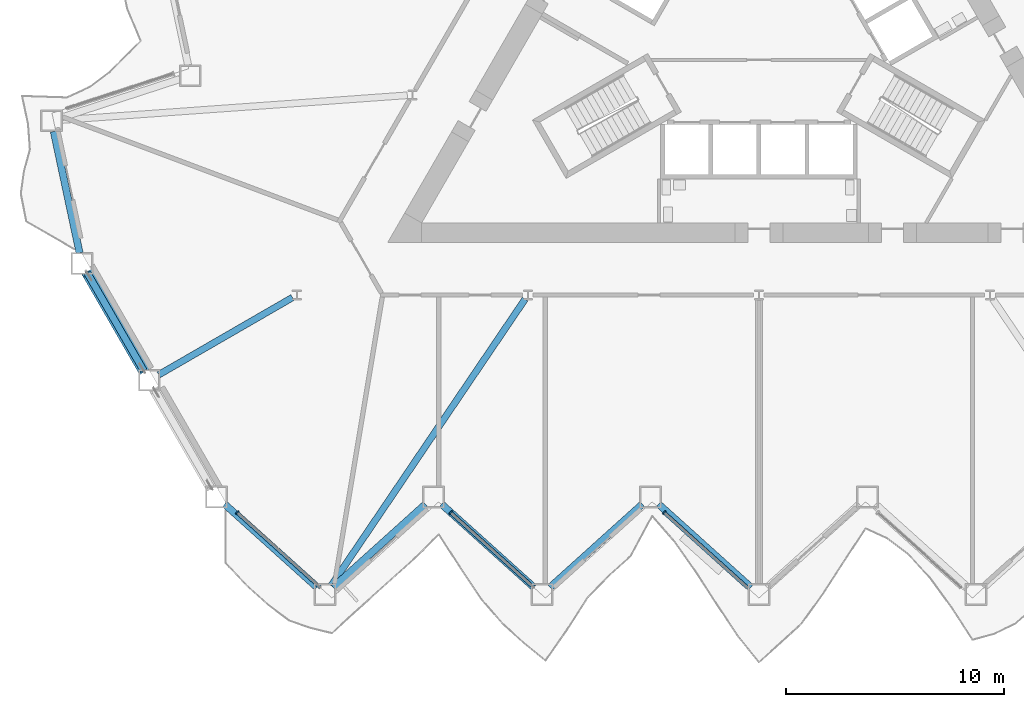
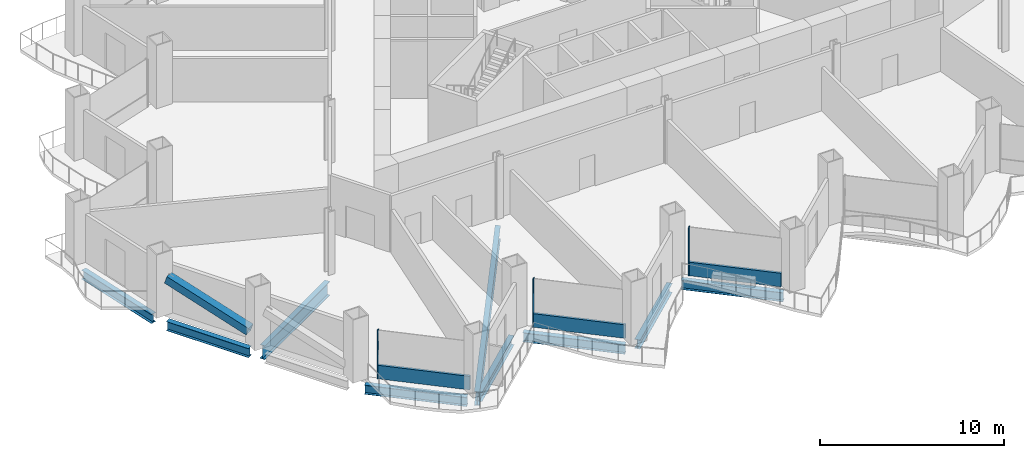
# One storey, part 2 of 20: 9 beams, 7 members, 3 elements without a shape of their own.
"""IFC4 building model written with IfcOpenShell, lengths in metres."""

from ifc_helpers import new_model, si_unit, direction, frame, origin, origin_2d, place, context, subcontext, project, spatial, rectangle, hollow_rectangle, i_section, extrude, material, layer, layer_set, material_profile, profile_set, type_object, element, aggregate, save


model = new_model("IFC4")

# Units and contexts
model_context = context("Model", 3, precision=1e-05, world=origin(), true_north=direction((0.0, 1.0)))
body_context = subcontext(model_context, "Body", "Model", "MODEL_VIEW")
ifc_project = project(units=[si_unit("LENGTHUNIT", "METRE"), si_unit("AREAUNIT", "SQUARE_METRE"), si_unit("VOLUMEUNIT", "CUBIC_METRE"), si_unit("PLANEANGLEUNIT", "RADIAN"), si_unit("MASSUNIT", "GRAM", prefix="KILO")], contexts=[model_context])

# Site, building, storey
site_placement = place(None, origin())
site = spatial("IfcSite", under=ifc_project, at=site_placement, CompositionType="ELEMENT")
building_placement = place(site_placement, origin())
building = spatial("IfcBuilding", under=site, at=building_placement, Name="Cormorant Prow Tower", CompositionType="ELEMENT")
storey_placement = place(building_placement, frame((0.0, 0.0, 59.39990234375)))
storey = spatial("IfcBuildingStorey", under=building, at=storey_placement, Name="L12", CompositionType="ELEMENT", Elevation=59.39990234375)

# Member
ifc_material_1 = material(Name="Structural steel ASTM A500 Gr C", Category="steel")
ifc_material_profile_1 = material_profile(ifc_material_1, hollow_rectangle(XDim=0.508056640625, YDim=0.508056640625, WallThickness=0.014892578125, at=origin_2d()), Name="HSS20x20x5/8")
ifc_profile_set_1 = profile_set([ifc_material_profile_1], Name="Structural steel ASTM A500 Gr C")
member_type_1 = type_object("IfcMemberType", Name="Chamfer brace HSS20x20x5/8", PredefinedType="BRACE", material=ifc_profile_set_1)
member_1_placement = place(storey_placement, frame((-28.174560546875, -15.667724609375, 0.767333984375), z_axis=(-0.475875326044, 0.824258984489, 0.306822099191), x_axis=(-0.866030326616, -0.499991473309, 0.0)))
element("IfcMember", 1, at=member_1_placement, inside=storey, type_object=member_type_1, Name="Chamfer brace BR1 at WSW00 L12", PredefinedType="BRACE", context=body_context, shape_type="SweptSolid", body=[
    extrude(hollow_rectangle(XDim=0.508056640625, YDim=0.508056640625, WallThickness=0.014892578125, at=origin_2d()), origin(), (0.0, 0.0, 1.0), 5.392578125),
])

# Curtain wall, member
ifc_material_2 = material(Name="Aluminium 6063-T6", Category="aluminium")
ifc_layer = layer(ifc_material_2, 0.199951171875)
ifc_layer_set = layer_set([ifc_layer], Name="Aluminium 6063-T6")
curtain_wall_type = type_object("IfcCurtainWallType", Name="Office unitised curtain wall 200", PredefinedType="NOTDEFINED", material=ifc_layer_set)
curtain_wall_1_placement = place(storey_placement, origin())
curtain_wall_1 = element("IfcCurtainWall", 2, at=curtain_wall_1_placement, inside=storey, type_object=curtain_wall_type, Name="Office curtain wall S00", PredefinedType="NOTDEFINED")
ifc_material_3 = material(Name="Aluminium 6063-T6", Category="aluminium")
ifc_material_profile_2 = material_profile(ifc_material_3, rectangle(XDim=0.199951171875, YDim=0.06005859375, at=origin_2d()), Name="Office mullion 60x200")
ifc_profile_set_2 = profile_set([ifc_material_profile_2], Name="Aluminium 6063-T6")
member_type_2 = type_object("IfcMemberType", Name="Office mullion 60x200", PredefinedType="MULLION", material=ifc_profile_set_2)
member_2_placement = place(storey_placement, frame((-23.89404296875, -22.176513671875, 0.0), z_axis=(0.0, 0.0, 1.0), x_axis=(0.669130625166, 0.743144808544, 0.0)))
member_2 = element("IfcMember", 3, at=member_2_placement, type_object=member_type_2, Name="Office mullion S00", PredefinedType="MULLION", context=body_context, shape_type="SweptSolid", body=[
    extrude(rectangle(XDim=0.199951171875, YDim=0.06005859375, at=origin_2d()), origin(), (0.0, 0.0, 1.0), 3.18896484375),
])

curtain_wall_2_placement = place(storey_placement, origin())
curtain_wall_2 = element("IfcCurtainWall", 4, at=curtain_wall_2_placement, inside=storey, type_object=curtain_wall_type, Name="Office curtain wall S02", PredefinedType="NOTDEFINED")
member_3_placement = place(storey_placement, frame((-14.11865234375, -22.176513671875, 0.0), z_axis=(0.0, 0.0, 1.0), x_axis=(0.669130625166, 0.743144808544, 0.0)))
member_3 = element("IfcMember", 5, at=member_3_placement, type_object=member_type_2, Name="Office mullion S02", PredefinedType="MULLION", context=body_context, shape_type="SweptSolid", body=[
    extrude(rectangle(XDim=0.199951171875, YDim=0.06005859375, at=origin_2d()), origin(), (0.0, 0.0, 1.0), 3.18896484375),
])

curtain_wall_3_placement = place(storey_placement, origin())
curtain_wall_3 = element("IfcCurtainWall", 6, at=curtain_wall_3_placement, inside=storey, type_object=curtain_wall_type, Name="Office curtain wall S04", PredefinedType="NOTDEFINED")
member_4_placement = place(storey_placement, frame((-4.343017578125, -22.176513671875, 0.0), z_axis=(0.0, 0.0, 1.0), x_axis=(0.669130625166, 0.743144808544, 0.0)))
member_4 = element("IfcMember", 7, at=member_4_placement, type_object=member_type_2, Name="Office mullion S04", PredefinedType="MULLION", context=body_context, shape_type="SweptSolid", body=[
    extrude(rectangle(XDim=0.199951171875, YDim=0.06005859375, at=origin_2d()), origin(), (0.0, 0.0, 1.0), 3.18896484375),
])

# Member
ifc_material_4 = material(Name="Terracotta", Category="masonry")
ifc_material_profile_3 = material_profile(ifc_material_4, rectangle(XDim=0.159912109375, YDim=0.89990234375, at=origin_2d()), Name="Office terracotta spandrel rail 160x900")
ifc_profile_set_3 = profile_set([ifc_material_profile_3], Name="Terracotta")
member_type_3 = type_object("IfcMemberType", Name="Office terracotta spandrel rail 160x900", PredefinedType="USERDEFINED", material=ifc_profile_set_3)
member_5_placement = place(storey_placement, frame((-23.871826171875, -22.196533203125, 0.4501953125), z_axis=(0.743156371999, -0.669117782425, 0.0), x_axis=(0.669117782425, 0.743156371999, 0.0)))
member_5 = element("IfcMember", 8, at=member_5_placement, type_object=member_type_3, Name="Office spandrel rail S00", ObjectType="TRANSOM", PredefinedType="USERDEFINED", context=body_context, shape_type="SweptSolid", body=[
    extrude(rectangle(XDim=0.159912109375, YDim=0.89990234375, at=origin_2d()), origin(), (0.0, 0.0, 1.0), 5.111083984375),
])

aggregate(curtain_wall_1, [member_2, member_5])

member_6_placement = place(storey_placement, frame((-14.09619140625, -22.196533203125, 0.4501953125), z_axis=(0.743156371999, -0.669117782425, 0.0), x_axis=(0.669117782425, 0.743156371999, 0.0)))
member_6 = element("IfcMember", 9, at=member_6_placement, type_object=member_type_3, Name="Office spandrel rail S02", ObjectType="TRANSOM", PredefinedType="USERDEFINED", context=body_context, shape_type="SweptSolid", body=[
    extrude(rectangle(XDim=0.159912109375, YDim=0.89990234375, at=origin_2d()), origin(), (0.0, 0.0, 1.0), 5.111083984375),
])

aggregate(curtain_wall_2, [member_3, member_6])

member_7_placement = place(storey_placement, frame((-4.32080078125, -22.196533203125, 0.4501953125), z_axis=(0.743156371999, -0.669117782425, 0.0), x_axis=(0.669117782425, 0.743156371999, 0.0)))
member_7 = element("IfcMember", 10, at=member_7_placement, type_object=member_type_3, Name="Office spandrel rail S04", ObjectType="TRANSOM", PredefinedType="USERDEFINED", context=body_context, shape_type="SweptSolid", body=[
    extrude(rectangle(XDim=0.159912109375, YDim=0.89990234375, at=origin_2d()), origin(), (0.0, 0.0, 1.0), 5.111083984375),
])

aggregate(curtain_wall_3, [member_4, member_7])

# Beams
ifc_material_5 = material(Name="Structural steel ASTM A992 Gr 50", Category="steel")
ifc_material_profile_4 = material_profile(ifc_material_5, i_section(OverallWidth=0.3046875, OverallDepth=0.914794921875, WebThickness=0.0166015625, FlangeThickness=0.02587890625, at=origin_2d()), Name="W36x160")
ifc_profile_set_4 = profile_set([ifc_material_profile_4], Name="Structural steel ASTM A992 Gr 50")
beam_type_1 = type_object("IfcBeamType", Name="Radial floor beam W36x160", PredefinedType="BEAM", material=ifc_profile_set_4)
beam_1_placement = place(storey_placement, frame((-21.358154296875, -12.3310546875, -0.857177734375), z_axis=(-0.866014253463, -0.500019312426, 0.0), x_axis=(0.500019312426, -0.866014253463, 0.0)))
element("IfcBeam", 11, at=beam_1_placement, inside=storey, type_object=beam_type_1, Name="Radial floor beam FB1 5 L12", PredefinedType="BEAM", context=body_context, shape_type="SweptSolid", body=[
    extrude(i_section(OverallWidth=0.3046875, OverallDepth=0.914794921875, WebThickness=0.0166015625, FlangeThickness=0.02587890625, at=origin_2d()), origin(), (0.0, 0.0, 1.0), 7.071533203125),
])
beam_2_placement = place(storey_placement, frame((-10.708740234375, -12.4072265625, -0.857177734375), z_axis=(-0.560597160775, -0.828088656685, 0.0), x_axis=(0.828088656685, -0.560597160775, 0.0)))
element("IfcBeam", 12, at=beam_2_placement, inside=storey, type_object=beam_type_1, Name="Radial floor beam FB1 6 L12", PredefinedType="BEAM", context=body_context, shape_type="SweptSolid", body=[
    extrude(i_section(OverallWidth=0.3046875, OverallDepth=0.914794921875, WebThickness=0.0166015625, FlangeThickness=0.02587890625, at=origin_2d()), origin(), (0.0, 0.0, 1.0), 15.831787109375),
])
ifc_material_6 = material(Name="Structural steel ASTM A992 Gr 50", Category="steel")
ifc_material_profile_5 = material_profile(ifc_material_6, i_section(OverallWidth=0.32373046875, OverallDepth=0.611083984375, WebThickness=0.0126953125, FlangeThickness=0.01904296875, at=origin_2d()), Name="W24x104")
ifc_profile_set_5 = profile_set([ifc_material_profile_5], Name="Structural steel ASTM A992 Gr 50")
beam_type_2 = type_object("IfcBeamType", Name="Spandrel beam W24x104", PredefinedType="SPANDREL", material=ifc_profile_set_5)
for number, where, z_axis, x_axis, name in (
    (13, (-24.458740234375, -21.79443359375, -0.70556640625), (0.743129630386, -0.669147481833, 0.0), (0.669147481833, 0.743129630386, 0.0), "Spandrel beam SB1 S00-S01 L12"),
    (14, (-19.49267578125, -25.596923828125, -0.70556640625), (0.743129630386, 0.669147481833, 0.0), (-0.669147481833, 0.743129630386, 0.0), "Spandrel beam SB1 S01-S02 L12"),
    (15, (-14.526611328125, -21.79443359375, -0.70556640625), (0.743129630386, -0.669147481833, 0.0), (0.669147481833, 0.743129630386, 0.0), "Spandrel beam SB1 S02-S03 L12"),
    (16, (-9.560546875, -25.596923828125, -0.70556640625), (0.743129630386, 0.669147481833, 0.0), (-0.669147481833, 0.743129630386, 0.0), "Spandrel beam SB1 S03-S04 L12"),
    (17, (-4.594482421875, -21.79443359375, -0.70556640625), (0.743129630386, -0.669147481833, 0.0), (0.669147481833, 0.743129630386, 0.0), "Spandrel beam SB1 S04-S05 L12"),
    (18, (-32.285400390625, -4.726318359375, -0.70556640625), (0.207900376723, -0.97815000555, 0.0), (0.97815000555, 0.207900376723, 0.0), "Spandrel beam SB1 WNW09-WSW00 L12"),
):
    element("IfcBeam", number, at=place(storey_placement, frame(where, z_axis=z_axis, x_axis=x_axis)), inside=storey, type_object=beam_type_2, Name=name, PredefinedType="SPANDREL", context=body_context, shape_type="SweptSolid", body=[
        extrude(i_section(OverallWidth=0.32373046875, OverallDepth=0.611083984375, WebThickness=0.0126953125, FlangeThickness=0.01904296875, at=origin_2d()), origin(), (0.0, 0.0, 1.0), 5.6826171875),
    ])
beam_3_placement = place(storey_placement, frame((-30.75, -11.206787109375, -0.70556640625), z_axis=(0.49998408811, -0.866034590324, 0.0), x_axis=(0.866034590324, 0.49998408811, 0.0)))
element("IfcBeam", 19, at=beam_3_placement, inside=storey, type_object=beam_type_2, Name="Spandrel beam SB1 WSW00-WSW01 L12", PredefinedType="SPANDREL", context=body_context, shape_type="SweptSolid", body=[
    extrude(i_section(OverallWidth=0.32373046875, OverallDepth=0.611083984375, WebThickness=0.0126953125, FlangeThickness=0.01904296875, at=origin_2d()), origin(), (0.0, 0.0, 1.0), 5.169677734375),
])

save(model, "model.ifc")
